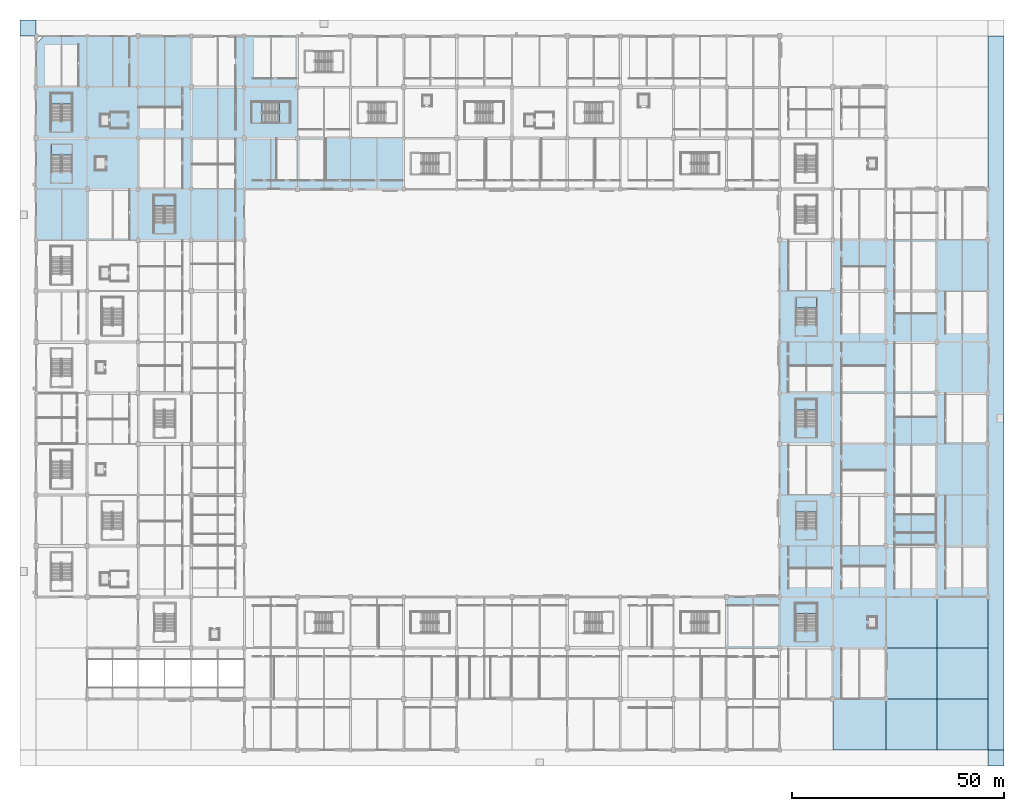
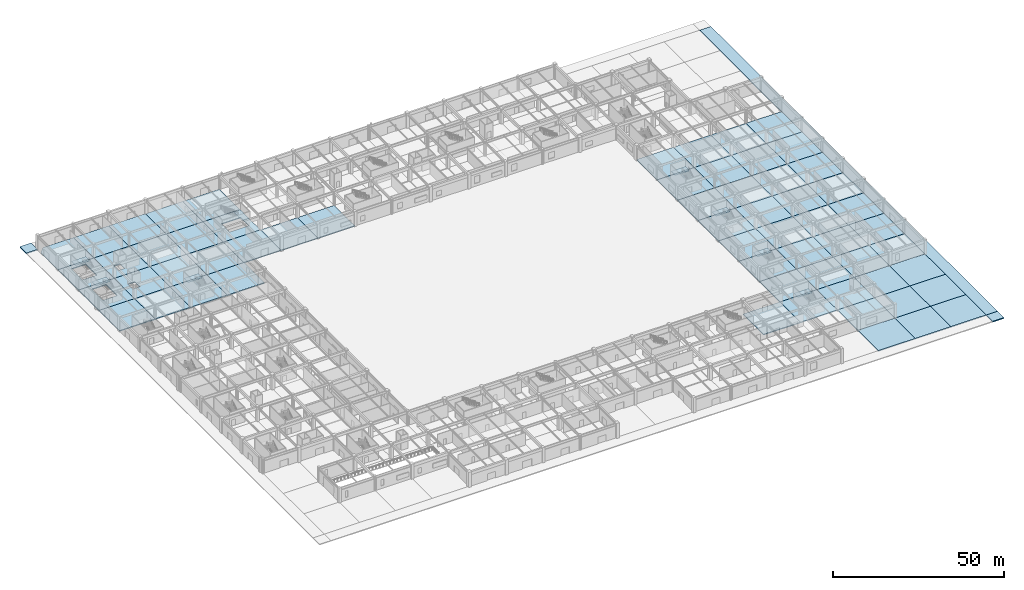
# One storey, part 10 of 69: 71 slabs, 8 elements without a shape of their own.
"""IFC4 building model written with IfcOpenShell, lengths in metres."""

from ifc_helpers import new_model, si_unit, direction, frame, origin, place, context, subcontext, project, spatial, polyline, outline, extrude, material, layer, layer_set, type_object, element, aggregate, save


model = new_model("IFC4")

# Units and contexts
model_context = context("Model", 3, precision=1e-05, world=origin(), true_north=direction((0.0, 1.0)))
body_context = subcontext(model_context, "Body", "Model", "MODEL_VIEW")
ifc_project = project(units=[si_unit("LENGTHUNIT", "METRE"), si_unit("AREAUNIT", "SQUARE_METRE"), si_unit("VOLUMEUNIT", "CUBIC_METRE"), si_unit("PLANEANGLEUNIT", "RADIAN"), si_unit("MASSUNIT", "GRAM", prefix="KILO")], contexts=[model_context])

# Site, building, storey
site_placement = place(None, origin())
site = spatial("IfcSite", under=ifc_project, at=site_placement, CompositionType="ELEMENT")
building_placement = place(site_placement, origin())
building = spatial("IfcBuilding", under=site, at=building_placement, Name="Kazenohara Klinker Stadium", CompositionType="ELEMENT")
storey_placement = place(building_placement, origin())
storey = spatial("IfcBuildingStorey", under=building, at=storey_placement, Name="L00", CompositionType="ELEMENT", Elevation=0.0)

# Slabs
ifc_material = material(Name="Concrete C40/50", Category="concrete")
ifc_layer_1 = layer(ifc_material, 0.340087890625)
ifc_layer_set_1 = layer_set([ifc_layer_1], Name="Concrete C40/50")
slab_type_1 = type_object("IfcSlabType", Name="SLB-APR-340", PredefinedType="FLOOR", material=ifc_layer_set_1)
slab_1_placement = place(storey_placement, frame((0.0, 0.0, -0.340087890625)))
element("IfcSlab", 1, at=slab_1_placement, inside=storey, type_object=slab_type_1, Name="Exterior arrival forecourt paving slab AP01 16/A", PredefinedType="FLOOR", context=body_context, shape_type="SweptSolid", body=[
    extrude(outline(polyline([(187.5, 0.0), (200.0, 0.0), (200.0, 12.0), (187.5, 12.0), (187.5, 0.0)])), origin(), (0.0, 0.0, 1.0), 0.340087890625),
])
slab_2_placement = place(storey_placement, frame((0.0, 0.0, -0.340087890625)))
element("IfcSlab", 2, at=slab_2_placement, inside=storey, type_object=slab_type_1, Name="Exterior arrival forecourt paving slab AP01 17/A", PredefinedType="FLOOR", context=body_context, shape_type="SweptSolid", body=[
    extrude(outline(polyline([(200.0, 0.0), (212.0, 0.0), (212.0, 12.0), (200.0, 12.0), (200.0, 0.0)])), origin(), (0.0, 0.0, 1.0), 0.340087890625),
])
slab_3_placement = place(storey_placement, frame((0.0, 0.0, -0.340087890625)))
element("IfcSlab", 3, at=slab_3_placement, inside=storey, type_object=slab_type_1, Name="Exterior arrival forecourt paving slab AP01 17/B", PredefinedType="FLOOR", context=body_context, shape_type="SweptSolid", body=[
    extrude(outline(polyline([(200.0, 12.0), (212.0, 12.0), (212.0, 24.0), (200.0, 24.0), (200.0, 12.0)])), origin(), (0.0, 0.0, 1.0), 0.340087890625),
])
slab_4_placement = place(storey_placement, frame((0.0, 0.0, -0.340087890625)))
element("IfcSlab", 4, at=slab_4_placement, inside=storey, type_object=slab_type_1, Name="Exterior arrival forecourt paving slab AP01 17/C", PredefinedType="FLOOR", context=body_context, shape_type="SweptSolid", body=[
    extrude(outline(polyline([(200.0, 24.0), (212.0, 24.0), (212.0, 36.0), (200.0, 36.0), (200.0, 24.0)])), origin(), (0.0, 0.0, 1.0), 0.340087890625),
])
slab_5_placement = place(storey_placement, frame((0.0, 0.0, -0.340087890625)))
element("IfcSlab", 5, at=slab_5_placement, inside=storey, type_object=slab_type_1, Name="Exterior arrival forecourt paving slab AP01 18/A", PredefinedType="FLOOR", context=body_context, shape_type="SweptSolid", body=[
    extrude(outline(polyline([(212.0, 0.0), (224.0, 0.0), (224.0, 12.0), (212.0, 12.0), (212.0, 0.0)])), origin(), (0.0, 0.0, 1.0), 0.340087890625),
])
slab_6_placement = place(storey_placement, frame((0.0, 0.0, -0.340087890625)))
element("IfcSlab", 6, at=slab_6_placement, inside=storey, type_object=slab_type_1, Name="Exterior arrival forecourt paving slab AP01 18/B", PredefinedType="FLOOR", context=body_context, shape_type="SweptSolid", body=[
    extrude(outline(polyline([(212.0, 12.0), (224.0, 12.0), (224.0, 24.0), (212.0, 24.0), (212.0, 12.0)])), origin(), (0.0, 0.0, 1.0), 0.340087890625),
])
slab_7_placement = place(storey_placement, frame((0.0, 0.0, -0.340087890625)))
element("IfcSlab", 7, at=slab_7_placement, inside=storey, type_object=slab_type_1, Name="Exterior arrival forecourt paving slab AP01 18/C", PredefinedType="FLOOR", context=body_context, shape_type="SweptSolid", body=[
    extrude(outline(polyline([(212.0, 24.0), (224.0, 24.0), (224.0, 36.0), (212.0, 36.0), (212.0, 24.0)])), origin(), (0.0, 0.0, 1.0), 0.340087890625),
])
slab_8_placement = place(storey_placement, frame((0.0, 0.0, -0.340087890625)))
element("IfcSlab", 8, at=slab_8_placement, inside=storey, type_object=slab_type_1, Name="Exterior plaza and pitch slab PLAZA-EAST", PredefinedType="FLOOR", context=body_context, shape_type="SweptSolid", body=[
    extrude(outline(polyline([(224.0, 0.0), (227.800048828125, 0.0), (227.800048828125, 168.0), (224.0, 168.0), (224.0, 0.0)])), origin(), (0.0, 0.0, 1.0), 0.340087890625),
])
slab_9_placement = place(storey_placement, frame((0.0, 0.0, -0.340087890625)))
element("IfcSlab", 9, at=slab_9_placement, inside=storey, type_object=slab_type_1, Name="Exterior plaza and pitch slab PLAZA-CRN-NW", PredefinedType="FLOOR", context=body_context, shape_type="SweptSolid", body=[
    extrude(outline(polyline([(-3.800048828125, 168.0), (0.0, 168.0), (0.0, 171.800048828125), (-3.800048828125, 171.800048828125), (-3.800048828125, 168.0)])), origin(), (0.0, 0.0, 1.0), 0.340087890625),
])
slab_10_placement = place(storey_placement, frame((0.0, 0.0, -0.340087890625)))
element("IfcSlab", 10, at=slab_10_placement, inside=storey, type_object=slab_type_1, Name="Exterior plaza and pitch slab PLAZA-CRN-SE", PredefinedType="FLOOR", context=body_context, shape_type="SweptSolid", body=[
    extrude(outline(polyline([(224.0, -3.800048828125), (227.800048828125, -3.800048828125), (227.800048828125, 0.0), (224.0, 0.0), (224.0, -3.800048828125)])), origin(), (0.0, 0.0, 1.0), 0.340087890625),
])
ifc_layer_2 = layer(ifc_material, 0.300048828125)
ifc_layer_set_2 = layer_set([ifc_layer_2], Name="Concrete C40/50")
slab_type_2 = type_object("IfcSlabType", Name="SLB-FLR-300", PredefinedType="FLOOR", material=ifc_layer_set_2)
slab_11_placement = place(storey_placement, frame((0.0, 0.0, -0.300048828125)))
element("IfcSlab", 11, at=slab_11_placement, inside=storey, type_object=slab_type_2, Name="Floor slab FS01 L00 1/L", PredefinedType="FLOOR", context=body_context, shape_type="SweptSolid", body=[
    extrude(outline(polyline([(0.0, 120.0), (12.0, 120.0), (12.0, 132.0), (0.0, 132.0), (0.0, 120.0)])), origin(), (0.0, 0.0, 1.0), 0.300048828125),
])
slab_12_placement = place(storey_placement, frame((0.0, 0.0, -0.300048828125)))
element("IfcSlab", 12, at=slab_12_placement, inside=storey, type_object=slab_type_2, Name="Floor slab FS01 L00 1/M", PredefinedType="FLOOR", context=body_context, shape_type="SweptSolid", body=[
    extrude(outline(polyline([(0.0, 132.0), (12.0, 132.0), (12.0, 144.0), (0.0, 144.0), (0.0, 132.0)]), holes=[polyline([(8.39990234375, 135.919921875), (8.39990234375, 142.4599609375), (3.60009765625, 142.4599609375), (3.60009765625, 135.919921875), (8.39990234375, 135.919921875)])]), origin(), (0.0, 0.0, 1.0), 0.300048828125),
])
slab_13_placement = place(storey_placement, frame((0.0, 0.0, -0.300048828125)))
element("IfcSlab", 13, at=slab_13_placement, inside=storey, type_object=slab_type_2, Name="Floor slab FS01 L00 1/N", PredefinedType="FLOOR", context=body_context, shape_type="SweptSolid", body=[
    extrude(outline(polyline([(0.0, 144.0), (12.0, 144.0), (12.0, 156.0), (0.0, 156.0), (0.0, 144.0)]), holes=[polyline([(8.409912109375, 147.929931640625), (8.409912109375, 154.4599609375), (3.590087890625, 154.4599609375), (3.590087890625, 147.929931640625), (8.409912109375, 147.929931640625)])]), origin(), (0.0, 0.0, 1.0), 0.300048828125),
])
slab_14_placement = place(storey_placement, frame((0.0, 0.0, -0.300048828125)))
element("IfcSlab", 14, at=slab_14_placement, inside=storey, type_object=slab_type_2, Name="Floor slab FS01 L00 1/P", PredefinedType="FLOOR", context=body_context, shape_type="SweptSolid", body=[
    extrude(outline(polyline([(0.0, 156.0), (12.0, 156.0), (12.0, 168.0), (1.800048828125, 168.0), (0.0, 166.199951171875), (0.0, 156.0)])), origin(), (0.0, 0.0, 1.0), 0.300048828125),
])
slab_15_placement = place(storey_placement, frame((0.0, 0.0, -0.300048828125)))
element("IfcSlab", 15, at=slab_15_placement, inside=storey, type_object=slab_type_2, Name="Floor slab FS01 L00 2/L", PredefinedType="FLOOR", context=body_context, shape_type="SweptSolid", body=[
    extrude(outline(polyline([(12.0, 120.0), (24.0, 120.0), (24.0, 132.0), (12.0, 132.0), (12.0, 120.0)])), origin(), (0.0, 0.0, 1.0), 0.300048828125),
])
slab_16_placement = place(storey_placement, frame((0.0, 0.0, -0.300048828125)))
element("IfcSlab", 16, at=slab_16_placement, inside=storey, type_object=slab_type_2, Name="Floor slab FS01 L00 2/M", PredefinedType="FLOOR", context=body_context, shape_type="SweptSolid", body=[
    extrude(outline(polyline([(12.0, 132.0), (24.0, 132.0), (24.0, 144.0), (12.0, 144.0), (12.0, 132.0)]), holes=[polyline([(14.050048828125, 136.550048828125), (16.35009765625, 136.550048828125), (16.35009765625, 139.449951171875), (14.050048828125, 139.449951171875), (14.050048828125, 136.550048828125)])]), origin(), (0.0, 0.0, 1.0), 0.300048828125),
])
slab_17_placement = place(storey_placement, frame((0.0, 0.0, -0.300048828125)))
element("IfcSlab", 17, at=slab_17_placement, inside=storey, type_object=slab_type_2, Name="Floor slab FS01 L00 2/N", PredefinedType="FLOOR", context=body_context, shape_type="SweptSolid", body=[
    extrude(outline(polyline([(12.0, 144.0), (24.0, 144.0), (24.0, 156.0), (12.0, 156.0), (12.0, 144.0)]), holes=[polyline([(15.14990234375, 146.85009765625), (17.25, 146.85009765625), (17.25, 149.550048828125), (15.14990234375, 149.550048828125), (15.14990234375, 146.85009765625)])]), origin(), (0.0, 0.0, 1.0), 0.300048828125),
])
slab_18_placement = place(storey_placement, frame((0.0, 0.0, -0.300048828125)))
element("IfcSlab", 18, at=slab_18_placement, inside=storey, type_object=slab_type_2, Name="Floor slab FS01 L00 2/P", PredefinedType="FLOOR", context=body_context, shape_type="SweptSolid", body=[
    extrude(outline(polyline([(12.0, 156.0), (24.0, 156.0), (24.0, 168.0), (12.0, 168.0), (12.0, 156.0)])), origin(), (0.0, 0.0, 1.0), 0.300048828125),
])
slab_19_placement = place(storey_placement, frame((0.0, 0.0, -0.300048828125)))
element("IfcSlab", 19, at=slab_19_placement, inside=storey, type_object=slab_type_2, Name="Floor slab FS01 L00 3/L", PredefinedType="FLOOR", context=body_context, shape_type="SweptSolid", body=[
    extrude(outline(polyline([(24.0, 120.0), (36.5, 120.0), (36.5, 132.0), (24.0, 132.0), (24.0, 120.0)])), origin(), (0.0, 0.0, 1.0), 0.300048828125),
])
slab_20_placement = place(storey_placement, frame((0.0, 0.0, -0.300048828125)))
element("IfcSlab", 20, at=slab_20_placement, inside=storey, type_object=slab_type_2, Name="Floor slab FS01 L00 3/M", PredefinedType="FLOOR", context=body_context, shape_type="SweptSolid", body=[
    extrude(outline(polyline([(24.0, 132.0), (36.5, 132.0), (36.5, 144.0), (24.0, 144.0), (24.0, 132.0)])), origin(), (0.0, 0.0, 1.0), 0.300048828125),
])
slab_21_placement = place(storey_placement, frame((0.0, 0.0, -0.300048828125)))
element("IfcSlab", 21, at=slab_21_placement, inside=storey, type_object=slab_type_2, Name="Floor slab FS01 L00 3/N", PredefinedType="FLOOR", context=body_context, shape_type="SweptSolid", body=[
    extrude(outline(polyline([(24.0, 144.0), (36.5, 144.0), (36.5, 156.0), (24.0, 156.0), (24.0, 144.0)])), origin(), (0.0, 0.0, 1.0), 0.300048828125),
])
slab_22_placement = place(storey_placement, frame((0.0, 0.0, -0.300048828125)))
element("IfcSlab", 22, at=slab_22_placement, inside=storey, type_object=slab_type_2, Name="Floor slab FS01 L00 3/P", PredefinedType="FLOOR", context=body_context, shape_type="SweptSolid", body=[
    extrude(outline(polyline([(24.0, 156.0), (36.5, 156.0), (36.5, 168.0), (24.0, 168.0), (24.0, 156.0)])), origin(), (0.0, 0.0, 1.0), 0.300048828125),
])
slab_23_placement = place(storey_placement, frame((0.0, 0.0, -0.300048828125)))
element("IfcSlab", 23, at=slab_23_placement, inside=storey, type_object=slab_type_2, Name="Floor slab FS01 L00 4/L", PredefinedType="FLOOR", context=body_context, shape_type="SweptSolid", body=[
    extrude(outline(polyline([(36.5, 120.0), (49.0, 120.0), (49.0, 132.0), (36.5, 132.0), (36.5, 120.0)])), origin(), (0.0, 0.0, 1.0), 0.300048828125),
])
slab_24_placement = place(storey_placement, frame((0.0, 0.0, -0.300048828125)))
element("IfcSlab", 24, at=slab_24_placement, inside=storey, type_object=slab_type_2, Name="Floor slab FS01 L00 4/M", PredefinedType="FLOOR", context=body_context, shape_type="SweptSolid", body=[
    extrude(outline(polyline([(36.5, 132.0), (49.0, 132.0), (49.0, 144.0), (36.5, 144.0), (36.5, 132.0)])), origin(), (0.0, 0.0, 1.0), 0.300048828125),
])
slab_25_placement = place(storey_placement, frame((0.0, 0.0, -0.300048828125)))
element("IfcSlab", 25, at=slab_25_placement, inside=storey, type_object=slab_type_2, Name="Floor slab FS01 L00 4/N", PredefinedType="FLOOR", context=body_context, shape_type="SweptSolid", body=[
    extrude(outline(polyline([(36.5, 144.0), (49.0, 144.0), (49.0, 156.0), (36.5, 156.0), (36.5, 144.0)])), origin(), (0.0, 0.0, 1.0), 0.300048828125),
])
slab_26_placement = place(storey_placement, frame((0.0, 0.0, -0.300048828125)))
element("IfcSlab", 26, at=slab_26_placement, inside=storey, type_object=slab_type_2, Name="Floor slab FS01 L00 4/P", PredefinedType="FLOOR", context=body_context, shape_type="SweptSolid", body=[
    extrude(outline(polyline([(36.5, 156.0), (49.0, 156.0), (49.0, 168.0), (36.5, 168.0), (36.5, 156.0)])), origin(), (0.0, 0.0, 1.0), 0.300048828125),
])
slab_27_placement = place(storey_placement, frame((0.0, 0.0, -0.300048828125)))
element("IfcSlab", 27, at=slab_27_placement, inside=storey, type_object=slab_type_2, Name="Floor slab FS01 L00 5/M", PredefinedType="FLOOR", context=body_context, shape_type="SweptSolid", body=[
    extrude(outline(polyline([(49.0, 132.0), (61.5, 132.0), (61.5, 144.0), (49.0, 144.0), (49.0, 132.0)])), origin(), (0.0, 0.0, 1.0), 0.300048828125),
])
slab_28_placement = place(storey_placement, frame((0.0, 0.0, -0.300048828125)))
element("IfcSlab", 28, at=slab_28_placement, inside=storey, type_object=slab_type_2, Name="Floor slab FS01 L00 5/N", PredefinedType="FLOOR", context=body_context, shape_type="SweptSolid", body=[
    extrude(outline(polyline([(49.0, 144.0), (61.5, 144.0), (61.5, 156.0), (49.0, 156.0), (49.0, 144.0)]), holes=[polyline([(53.2099609375, 147.56005859375), (59.7099609375, 147.56005859375), (59.7099609375, 152.43994140625), (53.2099609375, 152.43994140625), (53.2099609375, 147.56005859375)])]), origin(), (0.0, 0.0, 1.0), 0.300048828125),
])
slab_29_placement = place(storey_placement, frame((0.0, 0.0, -0.300048828125)))
element("IfcSlab", 29, at=slab_29_placement, inside=storey, type_object=slab_type_2, Name="Floor slab FS01 L00 5/P", PredefinedType="FLOOR", context=body_context, shape_type="SweptSolid", body=[
    extrude(outline(polyline([(49.0, 156.0), (61.5, 156.0), (61.5, 168.0), (49.0, 168.0), (49.0, 156.0)])), origin(), (0.0, 0.0, 1.0), 0.300048828125),
])
slab_30_placement = place(storey_placement, frame((0.0, 0.0, -0.300048828125)))
element("IfcSlab", 30, at=slab_30_placement, inside=storey, type_object=slab_type_2, Name="Floor slab FS01 L00 6/M", PredefinedType="FLOOR", context=body_context, shape_type="SweptSolid", body=[
    extrude(outline(polyline([(61.5, 132.0), (74.0, 132.0), (74.0, 144.0), (61.5, 144.0), (61.5, 132.0)])), origin(), (0.0, 0.0, 1.0), 0.300048828125),
])
slab_31_placement = place(storey_placement, frame((0.0, 0.0, -0.300048828125)))
element("IfcSlab", 31, at=slab_31_placement, inside=storey, type_object=slab_type_2, Name="Floor slab FS01 L00 7/M", PredefinedType="FLOOR", context=body_context, shape_type="SweptSolid", body=[
    extrude(outline(polyline([(74.0, 132.0), (86.5, 132.0), (86.5, 144.0), (74.0, 144.0), (74.0, 132.0)])), origin(), (0.0, 0.0, 1.0), 0.300048828125),
])
slab_32_placement = place(storey_placement, frame((0.0, 0.0, -0.300048828125)))
element("IfcSlab", 32, at=slab_32_placement, inside=storey, type_object=slab_type_2, Name="Floor slab FS01 L00 14/C", PredefinedType="FLOOR", context=body_context, shape_type="SweptSolid", body=[
    extrude(outline(polyline([(162.5, 24.0), (175.0, 24.0), (175.0, 36.0), (162.5, 36.0), (162.5, 24.0)])), origin(), (0.0, 0.0, 1.0), 0.300048828125),
])
slab_33_placement = place(storey_placement, frame((0.0, 0.0, -0.300048828125)))
element("IfcSlab", 33, at=slab_33_placement, inside=storey, type_object=slab_type_2, Name="Floor slab FS01 L00 15/C", PredefinedType="FLOOR", context=body_context, shape_type="SweptSolid", body=[
    extrude(outline(polyline([(175.0, 24.0), (187.5, 24.0), (187.5, 36.0), (175.0, 36.0), (175.0, 24.0)])), origin(), (0.0, 0.0, 1.0), 0.300048828125),
])
slab_34_placement = place(storey_placement, frame((0.0, 0.0, -0.300048828125)))
element("IfcSlab", 34, at=slab_34_placement, inside=storey, type_object=slab_type_2, Name="Floor slab FS01 L00 15/D", PredefinedType="FLOOR", context=body_context, shape_type="SweptSolid", body=[
    extrude(outline(polyline([(175.0, 36.0), (187.5, 36.0), (187.5, 48.0), (175.0, 48.0), (175.0, 36.0)])), origin(), (0.0, 0.0, 1.0), 0.300048828125),
])
slab_35_placement = place(storey_placement, frame((0.0, 0.0, -0.300048828125)))
element("IfcSlab", 35, at=slab_35_placement, inside=storey, type_object=slab_type_2, Name="Floor slab FS01 L00 15/E", PredefinedType="FLOOR", context=body_context, shape_type="SweptSolid", body=[
    extrude(outline(polyline([(175.0, 48.0), (187.5, 48.0), (187.5, 60.0), (175.0, 60.0), (175.0, 48.0)])), origin(), (0.0, 0.0, 1.0), 0.300048828125),
])
slab_36_placement = place(storey_placement, frame((0.0, 0.0, -0.300048828125)))
element("IfcSlab", 36, at=slab_36_placement, inside=storey, type_object=slab_type_2, Name="Floor slab FS01 L00 15/F", PredefinedType="FLOOR", context=body_context, shape_type="SweptSolid", body=[
    extrude(outline(polyline([(175.0, 60.0), (187.5, 60.0), (187.5, 72.0), (175.0, 72.0), (175.0, 60.0)])), origin(), (0.0, 0.0, 1.0), 0.300048828125),
])
slab_37_placement = place(storey_placement, frame((0.0, 0.0, -0.300048828125)))
element("IfcSlab", 37, at=slab_37_placement, inside=storey, type_object=slab_type_2, Name="Floor slab FS01 L00 15/G", PredefinedType="FLOOR", context=body_context, shape_type="SweptSolid", body=[
    extrude(outline(polyline([(175.0, 72.0), (187.5, 72.0), (187.5, 84.0), (175.0, 84.0), (175.0, 72.0)])), origin(), (0.0, 0.0, 1.0), 0.300048828125),
])
slab_38_placement = place(storey_placement, frame((0.0, 0.0, -0.300048828125)))
element("IfcSlab", 38, at=slab_38_placement, inside=storey, type_object=slab_type_2, Name="Floor slab FS01 L00 15/H", PredefinedType="FLOOR", context=body_context, shape_type="SweptSolid", body=[
    extrude(outline(polyline([(175.0, 84.0), (187.5, 84.0), (187.5, 96.0), (175.0, 96.0), (175.0, 84.0)])), origin(), (0.0, 0.0, 1.0), 0.300048828125),
])
slab_39_placement = place(storey_placement, frame((0.0, 0.0, -0.300048828125)))
element("IfcSlab", 39, at=slab_39_placement, inside=storey, type_object=slab_type_2, Name="Floor slab FS01 L00 15/J", PredefinedType="FLOOR", context=body_context, shape_type="SweptSolid", body=[
    extrude(outline(polyline([(175.0, 96.0), (187.5, 96.0), (187.5, 108.0), (175.0, 108.0), (175.0, 96.0)])), origin(), (0.0, 0.0, 1.0), 0.300048828125),
])
slab_40_placement = place(storey_placement, frame((0.0, 0.0, -0.300048828125)))
element("IfcSlab", 40, at=slab_40_placement, inside=storey, type_object=slab_type_2, Name="Floor slab FS01 L00 15/K", PredefinedType="FLOOR", context=body_context, shape_type="SweptSolid", body=[
    extrude(outline(polyline([(175.0, 108.0), (187.5, 108.0), (187.5, 120.0), (175.0, 120.0), (175.0, 108.0)])), origin(), (0.0, 0.0, 1.0), 0.300048828125),
])
slab_41_placement = place(storey_placement, frame((0.0, 0.0, -0.300048828125)))
element("IfcSlab", 41, at=slab_41_placement, inside=storey, type_object=slab_type_2, Name="Floor slab FS01 L00 16/B", PredefinedType="FLOOR", context=body_context, shape_type="SweptSolid", body=[
    extrude(outline(polyline([(187.5, 12.0), (200.0, 12.0), (200.0, 24.0), (187.5, 24.0), (187.5, 12.0)])), origin(), (0.0, 0.0, 1.0), 0.300048828125),
])
slab_42_placement = place(storey_placement, frame((0.0, 0.0, -0.300048828125)))
element("IfcSlab", 42, at=slab_42_placement, inside=storey, type_object=slab_type_2, Name="Floor slab FS01 L00 16/C", PredefinedType="FLOOR", context=body_context, shape_type="SweptSolid", body=[
    extrude(outline(polyline([(187.5, 24.0), (200.0, 24.0), (200.0, 36.0), (187.5, 36.0), (187.5, 24.0)])), origin(), (0.0, 0.0, 1.0), 0.300048828125),
])
slab_43_placement = place(storey_placement, frame((0.0, 0.0, -0.300048828125)))
element("IfcSlab", 43, at=slab_43_placement, inside=storey, type_object=slab_type_2, Name="Floor slab FS01 L00 16/D", PredefinedType="FLOOR", context=body_context, shape_type="SweptSolid", body=[
    extrude(outline(polyline([(187.5, 36.0), (200.0, 36.0), (200.0, 48.0), (187.5, 48.0), (187.5, 36.0)])), origin(), (0.0, 0.0, 1.0), 0.300048828125),
])
slab_44_placement = place(storey_placement, frame((0.0, 0.0, -0.300048828125)))
element("IfcSlab", 44, at=slab_44_placement, inside=storey, type_object=slab_type_2, Name="Floor slab FS01 L00 16/E", PredefinedType="FLOOR", context=body_context, shape_type="SweptSolid", body=[
    extrude(outline(polyline([(187.5, 48.0), (200.0, 48.0), (200.0, 60.0), (187.5, 60.0), (187.5, 48.0)])), origin(), (0.0, 0.0, 1.0), 0.300048828125),
])
slab_45_placement = place(storey_placement, frame((0.0, 0.0, -0.300048828125)))
element("IfcSlab", 45, at=slab_45_placement, inside=storey, type_object=slab_type_2, Name="Floor slab FS01 L00 16/F", PredefinedType="FLOOR", context=body_context, shape_type="SweptSolid", body=[
    extrude(outline(polyline([(187.5, 60.0), (200.0, 60.0), (200.0, 72.0), (187.5, 72.0), (187.5, 60.0)])), origin(), (0.0, 0.0, 1.0), 0.300048828125),
])
slab_46_placement = place(storey_placement, frame((0.0, 0.0, -0.300048828125)))
element("IfcSlab", 46, at=slab_46_placement, inside=storey, type_object=slab_type_2, Name="Floor slab FS01 L00 16/G", PredefinedType="FLOOR", context=body_context, shape_type="SweptSolid", body=[
    extrude(outline(polyline([(187.5, 72.0), (200.0, 72.0), (200.0, 84.0), (187.5, 84.0), (187.5, 72.0)])), origin(), (0.0, 0.0, 1.0), 0.300048828125),
])
slab_47_placement = place(storey_placement, frame((0.0, 0.0, -0.300048828125)))
element("IfcSlab", 47, at=slab_47_placement, inside=storey, type_object=slab_type_2, Name="Floor slab FS01 L00 16/H", PredefinedType="FLOOR", context=body_context, shape_type="SweptSolid", body=[
    extrude(outline(polyline([(187.5, 84.0), (200.0, 84.0), (200.0, 96.0), (187.5, 96.0), (187.5, 84.0)])), origin(), (0.0, 0.0, 1.0), 0.300048828125),
])
slab_48_placement = place(storey_placement, frame((0.0, 0.0, -0.300048828125)))
element("IfcSlab", 48, at=slab_48_placement, inside=storey, type_object=slab_type_2, Name="Floor slab FS01 L00 16/J", PredefinedType="FLOOR", context=body_context, shape_type="SweptSolid", body=[
    extrude(outline(polyline([(187.5, 96.0), (200.0, 96.0), (200.0, 108.0), (187.5, 108.0), (187.5, 96.0)])), origin(), (0.0, 0.0, 1.0), 0.300048828125),
])
slab_49_placement = place(storey_placement, frame((0.0, 0.0, -0.300048828125)))
element("IfcSlab", 49, at=slab_49_placement, inside=storey, type_object=slab_type_2, Name="Floor slab FS01 L00 16/K", PredefinedType="FLOOR", context=body_context, shape_type="SweptSolid", body=[
    extrude(outline(polyline([(187.5, 108.0), (200.0, 108.0), (200.0, 120.0), (187.5, 120.0), (187.5, 108.0)])), origin(), (0.0, 0.0, 1.0), 0.300048828125),
])
slab_50_placement = place(storey_placement, frame((0.0, 0.0, -0.300048828125)))
element("IfcSlab", 50, at=slab_50_placement, inside=storey, type_object=slab_type_2, Name="Floor slab FS01 L00 17/D", PredefinedType="FLOOR", context=body_context, shape_type="SweptSolid", body=[
    extrude(outline(polyline([(200.0, 36.0), (212.0, 36.0), (212.0, 48.0), (200.0, 48.0), (200.0, 36.0)])), origin(), (0.0, 0.0, 1.0), 0.300048828125),
])
slab_51_placement = place(storey_placement, frame((0.0, 0.0, -0.300048828125)))
element("IfcSlab", 51, at=slab_51_placement, inside=storey, type_object=slab_type_2, Name="Floor slab FS01 L00 17/E", PredefinedType="FLOOR", context=body_context, shape_type="SweptSolid", body=[
    extrude(outline(polyline([(200.0, 48.0), (212.0, 48.0), (212.0, 60.0), (200.0, 60.0), (200.0, 48.0)])), origin(), (0.0, 0.0, 1.0), 0.300048828125),
])
slab_52_placement = place(storey_placement, frame((0.0, 0.0, -0.300048828125)))
element("IfcSlab", 52, at=slab_52_placement, inside=storey, type_object=slab_type_2, Name="Floor slab FS01 L00 17/F", PredefinedType="FLOOR", context=body_context, shape_type="SweptSolid", body=[
    extrude(outline(polyline([(200.0, 60.0), (212.0, 60.0), (212.0, 72.0), (200.0, 72.0), (200.0, 60.0)])), origin(), (0.0, 0.0, 1.0), 0.300048828125),
])
slab_53_placement = place(storey_placement, frame((0.0, 0.0, -0.300048828125)))
element("IfcSlab", 53, at=slab_53_placement, inside=storey, type_object=slab_type_2, Name="Floor slab FS01 L00 17/G", PredefinedType="FLOOR", context=body_context, shape_type="SweptSolid", body=[
    extrude(outline(polyline([(200.0, 72.0), (212.0, 72.0), (212.0, 84.0), (200.0, 84.0), (200.0, 72.0)])), origin(), (0.0, 0.0, 1.0), 0.300048828125),
])
slab_54_placement = place(storey_placement, frame((0.0, 0.0, -0.300048828125)))
element("IfcSlab", 54, at=slab_54_placement, inside=storey, type_object=slab_type_2, Name="Floor slab FS01 L00 17/H", PredefinedType="FLOOR", context=body_context, shape_type="SweptSolid", body=[
    extrude(outline(polyline([(200.0, 84.0), (212.0, 84.0), (212.0, 96.0), (200.0, 96.0), (200.0, 84.0)])), origin(), (0.0, 0.0, 1.0), 0.300048828125),
])
slab_55_placement = place(storey_placement, frame((0.0, 0.0, -0.300048828125)))
element("IfcSlab", 55, at=slab_55_placement, inside=storey, type_object=slab_type_2, Name="Floor slab FS01 L00 17/J", PredefinedType="FLOOR", context=body_context, shape_type="SweptSolid", body=[
    extrude(outline(polyline([(200.0, 96.0), (212.0, 96.0), (212.0, 108.0), (200.0, 108.0), (200.0, 96.0)])), origin(), (0.0, 0.0, 1.0), 0.300048828125),
])
slab_56_placement = place(storey_placement, frame((0.0, 0.0, -0.300048828125)))
element("IfcSlab", 56, at=slab_56_placement, inside=storey, type_object=slab_type_2, Name="Floor slab FS01 L00 17/K", PredefinedType="FLOOR", context=body_context, shape_type="SweptSolid", body=[
    extrude(outline(polyline([(200.0, 108.0), (212.0, 108.0), (212.0, 120.0), (200.0, 120.0), (200.0, 108.0)])), origin(), (0.0, 0.0, 1.0), 0.300048828125),
])
slab_57_placement = place(storey_placement, frame((0.0, 0.0, -0.300048828125)))
element("IfcSlab", 57, at=slab_57_placement, inside=storey, type_object=slab_type_2, Name="Floor slab FS01 L00 18/D", PredefinedType="FLOOR", context=body_context, shape_type="SweptSolid", body=[
    extrude(outline(polyline([(212.0, 36.0), (224.0, 36.0), (224.0, 48.0), (212.0, 48.0), (212.0, 36.0)])), origin(), (0.0, 0.0, 1.0), 0.300048828125),
])
slab_58_placement = place(storey_placement, frame((0.0, 0.0, -0.300048828125)))
element("IfcSlab", 58, at=slab_58_placement, inside=storey, type_object=slab_type_2, Name="Floor slab FS01 L00 18/E", PredefinedType="FLOOR", context=body_context, shape_type="SweptSolid", body=[
    extrude(outline(polyline([(212.0, 48.0), (224.0, 48.0), (224.0, 60.0), (212.0, 60.0), (212.0, 48.0)])), origin(), (0.0, 0.0, 1.0), 0.300048828125),
])
slab_59_placement = place(storey_placement, frame((0.0, 0.0, -0.300048828125)))
element("IfcSlab", 59, at=slab_59_placement, inside=storey, type_object=slab_type_2, Name="Floor slab FS01 L00 18/F", PredefinedType="FLOOR", context=body_context, shape_type="SweptSolid", body=[
    extrude(outline(polyline([(212.0, 60.0), (224.0, 60.0), (224.0, 72.0), (212.0, 72.0), (212.0, 60.0)])), origin(), (0.0, 0.0, 1.0), 0.300048828125),
])
slab_60_placement = place(storey_placement, frame((0.0, 0.0, -0.300048828125)))
element("IfcSlab", 60, at=slab_60_placement, inside=storey, type_object=slab_type_2, Name="Floor slab FS01 L00 18/G", PredefinedType="FLOOR", context=body_context, shape_type="SweptSolid", body=[
    extrude(outline(polyline([(212.0, 72.0), (224.0, 72.0), (224.0, 84.0), (212.0, 84.0), (212.0, 72.0)])), origin(), (0.0, 0.0, 1.0), 0.300048828125),
])
slab_61_placement = place(storey_placement, frame((0.0, 0.0, -0.300048828125)))
element("IfcSlab", 61, at=slab_61_placement, inside=storey, type_object=slab_type_2, Name="Floor slab FS01 L00 18/H", PredefinedType="FLOOR", context=body_context, shape_type="SweptSolid", body=[
    extrude(outline(polyline([(212.0, 84.0), (224.0, 84.0), (224.0, 96.0), (212.0, 96.0), (212.0, 84.0)])), origin(), (0.0, 0.0, 1.0), 0.300048828125),
])
slab_62_placement = place(storey_placement, frame((0.0, 0.0, -0.300048828125)))
element("IfcSlab", 62, at=slab_62_placement, inside=storey, type_object=slab_type_2, Name="Floor slab FS01 L00 18/J", PredefinedType="FLOOR", context=body_context, shape_type="SweptSolid", body=[
    extrude(outline(polyline([(212.0, 96.0), (224.0, 96.0), (224.0, 108.0), (212.0, 108.0), (212.0, 96.0)])), origin(), (0.0, 0.0, 1.0), 0.300048828125),
])
slab_63_placement = place(storey_placement, frame((0.0, 0.0, -0.300048828125)))
element("IfcSlab", 63, at=slab_63_placement, inside=storey, type_object=slab_type_2, Name="Floor slab FS01 L00 18/K", PredefinedType="FLOOR", context=body_context, shape_type="SweptSolid", body=[
    extrude(outline(polyline([(212.0, 108.0), (224.0, 108.0), (224.0, 120.0), (212.0, 120.0), (212.0, 108.0)])), origin(), (0.0, 0.0, 1.0), 0.300048828125),
])

# Stair, slab
stair_type_1 = type_object("IfcStairType", Name="STR-DL-2300", PredefinedType="HALF_TURN_STAIR", material=ifc_material)
stair_1_placement = place(storey_placement, origin())
stair_1 = element("IfcStair", 64, at=stair_1_placement, inside=storey, type_object=stair_type_1, Name="L00 Enclosed escape stair ST05", PredefinedType="HALF_TURN_STAIR")
ifc_layer_3 = layer(ifc_material, 0.199951171875)
ifc_layer_set_3 = layer_set([ifc_layer_3], Name="Concrete C40/50")
slab_type_3 = type_object("IfcSlabType", Name="SLB-LND-200", PredefinedType="LANDING", material=ifc_layer_set_3)
slab_64_placement = place(storey_placement, frame((0.0, 0.0, 2.5)))
slab_64 = element("IfcSlab", 65, at=slab_64_placement, type_object=slab_type_3, Name="ST05 landing 1", PredefinedType="LANDING", context=body_context, shape_type="SweptSolid", body=[
    extrude(outline(polyline([(8.39990234375, 140.0400390625), (8.39990234375, 142.4599609375), (3.60009765625, 142.4599609375), (3.60009765625, 140.0400390625), (8.39990234375, 140.0400390625)])), origin(), (0.0, 0.0, 1.0), 0.199951171875),
])
aggregate(stair_1, [slab_64])

stair_type_2 = type_object("IfcStairType", Name="STR-DL-2310", PredefinedType="HALF_TURN_STAIR", material=ifc_material)
stair_2_placement = place(storey_placement, origin())
stair_2 = element("IfcStair", 66, at=stair_2_placement, inside=storey, type_object=stair_type_2, Name="L00 Enclosed escape stair ST06", PredefinedType="HALF_TURN_STAIR")
slab_65_placement = place(storey_placement, frame((0.0, 0.0, 2.5)))
slab_65 = element("IfcSlab", 67, at=slab_65_placement, type_object=slab_type_3, Name="ST06 landing 1", PredefinedType="LANDING", context=body_context, shape_type="SweptSolid", body=[
    extrude(outline(polyline([(8.409912109375, 152.050048828125), (8.409912109375, 154.4599609375), (3.590087890625, 154.4599609375), (3.590087890625, 152.050048828125), (8.409912109375, 152.050048828125)])), origin(), (0.0, 0.0, 1.0), 0.199951171875),
])
aggregate(stair_2, [slab_65])

stair_type_3 = type_object("IfcStairType", Name="STR-DL-2340", PredefinedType="HALF_TURN_STAIR", material=ifc_material)
stair_3_placement = place(storey_placement, origin())
stair_3 = element("IfcStair", 68, at=stair_3_placement, inside=storey, type_object=stair_type_3, Name="L00 Enclosed escape stair ST08", PredefinedType="HALF_TURN_STAIR")
slab_66_placement = place(storey_placement, frame((0.0, 0.0, 2.5)))
slab_66 = element("IfcSlab", 69, at=slab_66_placement, type_object=slab_type_3, Name="ST08 landing 1", PredefinedType="LANDING", context=body_context, shape_type="SweptSolid", body=[
    extrude(outline(polyline([(57.330078125, 147.56005859375), (59.7099609375, 147.56005859375), (59.7099609375, 152.43994140625), (57.330078125, 152.43994140625), (57.330078125, 147.56005859375)])), origin(), (0.0, 0.0, 1.0), 0.199951171875),
])
aggregate(stair_3, [slab_66])

stair_4_placement = place(storey_placement, origin())
stair_4 = element("IfcStair", 70, at=stair_4_placement, inside=storey, type_object=stair_type_3, Name="L00 Enclosed escape stair ST16", PredefinedType="HALF_TURN_STAIR")
slab_67_placement = place(storey_placement, frame((0.0, 0.0, 2.5)))
slab_67 = element("IfcSlab", 71, at=slab_67_placement, type_object=slab_type_3, Name="ST16 landing 1", PredefinedType="LANDING", context=body_context, shape_type="SweptSolid", body=[
    extrude(outline(polyline([(183.68994140625, 32.080078125), (183.68994140625, 34.4599609375), (178.81005859375, 34.4599609375), (178.81005859375, 32.080078125), (183.68994140625, 32.080078125)])), origin(), (0.0, 0.0, 1.0), 0.199951171875),
])
aggregate(stair_4, [slab_67])

stair_5_placement = place(storey_placement, origin())
stair_5 = element("IfcStair", 72, at=stair_5_placement, inside=storey, type_object=stair_type_2, Name="L00 Enclosed escape stair ST18", PredefinedType="HALF_TURN_STAIR")
slab_68_placement = place(storey_placement, frame((0.0, 0.0, 2.5)))
slab_68 = element("IfcSlab", 73, at=slab_68_placement, type_object=slab_type_3, Name="ST18 landing 1", PredefinedType="LANDING", context=body_context, shape_type="SweptSolid", body=[
    extrude(outline(polyline([(32.659912109375, 128.050048828125), (32.659912109375, 130.4599609375), (27.840087890625, 130.4599609375), (27.840087890625, 128.050048828125), (32.659912109375, 128.050048828125)])), origin(), (0.0, 0.0, 1.0), 0.199951171875),
])
aggregate(stair_5, [slab_68])

stair_6_placement = place(storey_placement, origin())
stair_6 = element("IfcStair", 74, at=stair_6_placement, inside=storey, type_object=stair_type_1, Name="L00 Enclosed escape stair ST21", PredefinedType="HALF_TURN_STAIR")
slab_69_placement = place(storey_placement, frame((0.0, 0.0, 2.5)))
slab_69 = element("IfcSlab", 75, at=slab_69_placement, type_object=slab_type_3, Name="ST21 landing 1", PredefinedType="LANDING", context=body_context, shape_type="SweptSolid", body=[
    extrude(outline(polyline([(183.64990234375, 56.0400390625), (183.64990234375, 58.4599609375), (178.85009765625, 58.4599609375), (178.85009765625, 56.0400390625), (183.64990234375, 56.0400390625)])), origin(), (0.0, 0.0, 1.0), 0.199951171875),
])
aggregate(stair_6, [slab_69])

stair_7_placement = place(storey_placement, origin())
stair_7 = element("IfcStair", 76, at=stair_7_placement, inside=storey, type_object=stair_type_2, Name="L00 Enclosed escape stair ST22", PredefinedType="HALF_TURN_STAIR")
slab_70_placement = place(storey_placement, frame((0.0, 0.0, 2.5)))
slab_70 = element("IfcSlab", 77, at=slab_70_placement, type_object=slab_type_3, Name="ST22 landing 1", PredefinedType="LANDING", context=body_context, shape_type="SweptSolid", body=[
    extrude(outline(polyline([(183.659912109375, 80.050048828125), (183.659912109375, 82.4599609375), (178.840087890625, 82.4599609375), (178.840087890625, 80.050048828125), (183.659912109375, 80.050048828125)])), origin(), (0.0, 0.0, 1.0), 0.199951171875),
])
aggregate(stair_7, [slab_70])

stair_type_4 = type_object("IfcStairType", Name="STR-DL-2330", PredefinedType="HALF_TURN_STAIR", material=ifc_material)
stair_8_placement = place(storey_placement, origin())
stair_8 = element("IfcStair", 78, at=stair_8_placement, inside=storey, type_object=stair_type_4, Name="L00 Enclosed escape stair ST23", PredefinedType="HALF_TURN_STAIR")
slab_71_placement = place(storey_placement, frame((0.0, 0.0, 2.5)))
slab_71 = element("IfcSlab", 79, at=slab_71_placement, type_object=slab_type_3, Name="ST23 landing 1", PredefinedType="LANDING", context=body_context, shape_type="SweptSolid", body=[
    extrude(outline(polyline([(183.679931640625, 104.070068359375), (183.679931640625, 106.4599609375), (178.820068359375, 106.4599609375), (178.820068359375, 104.070068359375), (183.679931640625, 104.070068359375)])), origin(), (0.0, 0.0, 1.0), 0.199951171875),
])
aggregate(stair_8, [slab_71])

save(model, "model.ifc")
